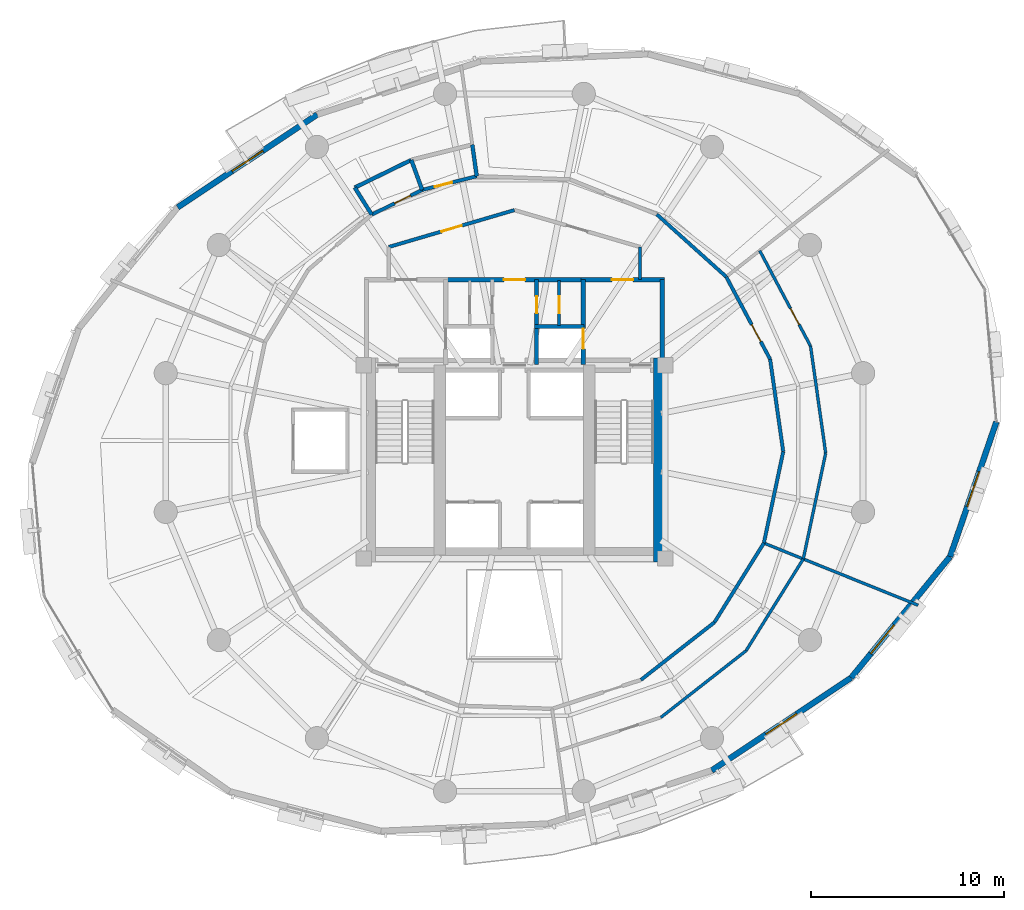
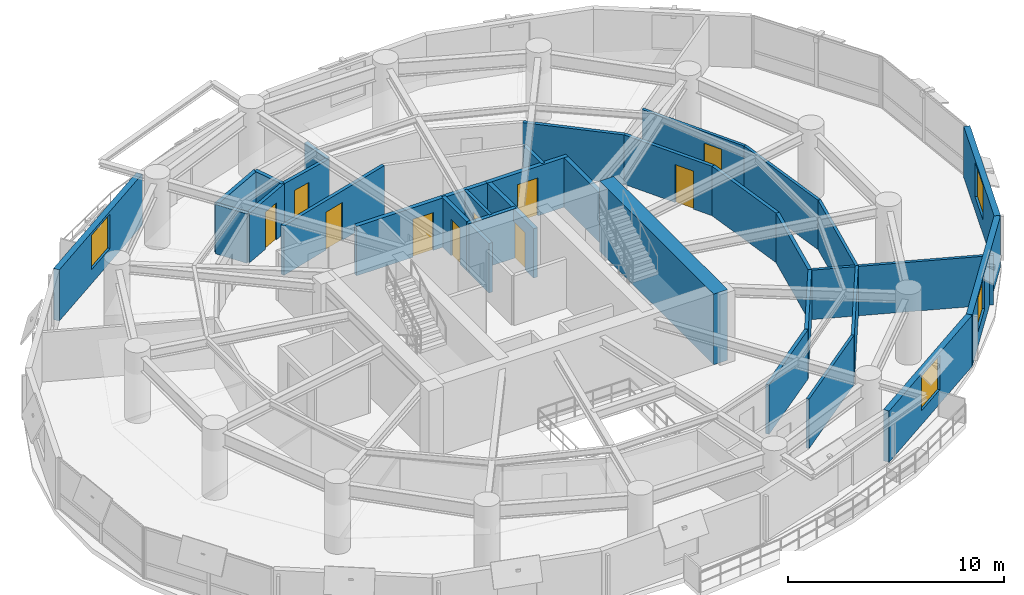
# One storey, part 11 of 15: 32 walls, 10 doors, 4 windows, 14 openings.
"""IFC4 building model written with IfcOpenShell, lengths in metres."""

from ifc_helpers import new_model, si_unit, direction, frame, frame_2d, origin, place, context, subcontext, project, spatial, rectangle, extrude, material, layer, layer_set, type_object, element, fill, save


model = new_model("IFC4")

# Units and contexts
model_context = context("Model", 3, precision=1e-05, world=origin(), true_north=direction((0.0, 1.0)))
body_context = subcontext(model_context, "Body", "Model", "MODEL_VIEW")
ifc_project = project(units=[si_unit("LENGTHUNIT", "METRE"), si_unit("AREAUNIT", "SQUARE_METRE"), si_unit("VOLUMEUNIT", "CUBIC_METRE"), si_unit("PLANEANGLEUNIT", "RADIAN"), si_unit("MASSUNIT", "GRAM", prefix="KILO"), si_unit("THERMODYNAMICTEMPERATUREUNIT", "KELVIN"), si_unit("POWERUNIT", "WATT")], contexts=[model_context])

# Site, building, storey
site_placement = place(None, origin())
site = spatial("IfcSite", under=ifc_project, at=site_placement, CompositionType="ELEMENT")
building_placement = place(site_placement, origin())
building = spatial("IfcBuilding", under=site, at=building_placement, Name="Ocrelia Relay Tower", CompositionType="ELEMENT")
storey_placement = place(building_placement, frame((0.0, 0.0, 109.800048828125)))
storey = spatial("IfcBuildingStorey", under=building, at=storey_placement, Name="L25", CompositionType="ELEMENT", Elevation=109.800048828125)

# Walls
ifc_material_1 = material(Name="Concrete C60/75", Category="concrete")
ifc_layer_1 = layer(ifc_material_1, 0.75, Name="Concrete C60/75")
ifc_layer_set_1 = layer_set([ifc_layer_1], Name="Concrete C60/75")
wall_type_1 = type_object("IfcWallType", Name="CW-CORE-750", PredefinedType="SHEAR", material=ifc_layer_set_1)
wall_1_placement = place(storey_placement, frame((41.56298828125, 19.81201171875, 0.0), z_axis=(0.0, 0.0, 1.0), x_axis=(0.0, 1.0, 0.0)))
element("IfcWall", 1, at=wall_1_placement, inside=storey, type_object=wall_type_1, Name="L25 Core Shear Wall E", PredefinedType="SHEAR", context=body_context, shape_type="SweptSolid", body=[
    extrude(rectangle(XDim=10.575927734375, YDim=0.75, at=frame_2d((5.2880859375, 0.0))), origin(), (0.0, 0.0, 1.0), 4.0),
])
ifc_material_2 = material(Name="Gypsum Fireboard Partition EI60", Category="gypsum")
ifc_layer_2 = layer(ifc_material_2, 0.179931640625, Name="Gypsum Fireboard Partition EI60")
ifc_layer_set_2 = layer_set([ifc_layer_2], Name="Gypsum Fireboard Partition EI60")
wall_type_2 = type_object("IfcWallType", Name="W-CORR-EI60-180", PredefinedType="PARTITIONING", material=ifc_layer_set_2)
wall_2_placement = place(storey_placement, frame((40.5, 36.122802734375, 0.0), z_axis=(0.0, 0.0, 1.0), x_axis=(0.0, -1.0, 0.0)))
element("IfcWall", 2, at=wall_2_placement, inside=storey, type_object=wall_type_2, Name="L25 Smoke Lobby East Return", PredefinedType="PARTITIONING", context=body_context, shape_type="SweptSolid", body=[
    extrude(rectangle(XDim=1.69287109375, YDim=0.179931640625, at=frame_2d((0.846435546875, 0.0))), origin(), (0.0, 0.0, 1.0), 2.800048828125),
])

# Wall, opening, door
wall_3_placement = place(storey_placement, frame((27.5, 36.122802734375, 0.0), z_axis=(0.0, 0.0, 1.0), x_axis=(0.959546654541, 0.281549671923, 0.0)))
wall_3 = element("IfcWall", 3, at=wall_3_placement, inside=storey, type_object=wall_type_2, Name="L25 North Smoke Lobby W Screen Wall", PredefinedType="PARTITIONING", context=body_context, shape_type="SweptSolid", body=[
    extrude(rectangle(XDim=6.77392578125, YDim=0.179931640625, at=frame_2d((3.386962890625, 0.0))), origin(), (0.0, 0.0, 1.0), 2.800048828125),
])
opening_1_placement = place(wall_3_placement, frame((2.8369140625, 0.0, 0.0)))
opening_1 = element("IfcOpeningElement", 4, at=opening_1_placement, cuts=wall_3, Name="Opening D-FD60", PredefinedType="OPENING", context=body_context, shape_type="SweptSolid", body=[
    extrude(rectangle(XDim=1.10009765625, YDim=2.14990234375, at=frame_2d((0.550048828125, 1.074951171875))), frame((0.0, 0.10009765625, 0.0), z_axis=(0.0, -1.0, 0.0), x_axis=(1.0, 0.0, 0.0)), (0.0, 0.0, 1.0), 0.199951171875),
])
ifc_material_3 = material(Name="Timber-core 60-min acoustic fire door", Category="wood")
door_type_1 = type_object("IfcDoorType", Name="DR-LOBBY-FD60-1100", OperationType="NOTDEFINED", PredefinedType="DOOR", material=ifc_material_3)
door_1_placement = place(opening_1_placement, origin())
door_1 = element("IfcDoor", 5, at=door_1_placement, inside=storey, type_object=door_type_1, Name="L25 North Smoke Lobby W Fire Door", OperationType="SINGLE_SWING_LEFT", OverallHeight=2.14990234375, OverallWidth=1.10009765625, PredefinedType="DOOR", context=body_context, shape_type="SweptSolid", body=[
    extrude(rectangle(XDim=1.10009765625, YDim=2.14990234375, at=frame_2d((0.550048828125, 1.074951171875))), frame((0.0, 0.02490234375, 0.0), z_axis=(0.0, -1.0, 0.0), x_axis=(1.0, 0.0, 0.0)), (0.0, 0.0, 1.0), 0.050048828125),
])
fill(opening_1, door_1)

wall_4_placement = place(storey_placement, frame((32.05078125, 39.78271484375, 0.0), z_axis=(0.0, 0.0, 1.0), x_axis=(-0.970098067953, -0.242713284666, 0.0)))
wall_4 = element("IfcWall", 6, at=wall_4_placement, inside=storey, type_object=wall_type_2, Name="L25 Staff Toilet Corridor Wall", PredefinedType="PARTITIONING", context=body_context, shape_type="SweptSolid", body=[
    extrude(rectangle(XDim=2.909912109375, YDim=0.179931640625, at=frame_2d((1.455078125, 0.0))), origin(), (0.0, 0.0, 1.0), 2.800048828125),
])
opening_2_placement = place(wall_4_placement, frame((1.321044921875, 0.0, 0.0)))
opening_2 = element("IfcOpeningElement", 7, at=opening_2_placement, cuts=wall_4, Name="Opening D-WC92", PredefinedType="OPENING", context=body_context, shape_type="SweptSolid", body=[
    extrude(rectangle(XDim=0.919921875, YDim=2.10009765625, at=frame_2d((0.4599609375, 1.050048828125))), frame((0.0, 0.10009765625, 0.0), z_axis=(0.0, -1.0, 0.0), x_axis=(1.0, 0.0, 0.0)), (0.0, 0.0, 1.0), 0.199951171875),
])
ifc_material_4 = material(Name="Laminate washroom door", Category="wood")
door_type_2 = type_object("IfcDoorType", Name="DR-WC-920", OperationType="NOTDEFINED", PredefinedType="DOOR", material=ifc_material_4)
door_2_placement = place(opening_2_placement, origin())
door_2 = element("IfcDoor", 8, at=door_2_placement, inside=storey, type_object=door_type_2, Name="L25 Staff Toilet Door", OperationType="SINGLE_SWING_LEFT", OverallHeight=2.10009765625, OverallWidth=0.919921875, PredefinedType="DOOR", context=body_context, shape_type="SweptSolid", body=[
    extrude(rectangle(XDim=0.919921875, YDim=2.10009765625, at=frame_2d((0.4599609375, 1.050048828125))), frame((0.0, 0.02490234375, 0.0), z_axis=(0.0, -1.0, 0.0), x_axis=(1.0, 0.0, 0.0)), (0.0, 0.0, 1.0), 0.050048828125),
])
fill(opening_2, door_2)

wall_5_placement = place(storey_placement, frame((29.227783203125, 39.076416015625, 0.0), z_axis=(0.0, 0.0, 1.0), x_axis=(-0.898401279121, -0.439175524904, 0.0)))
wall_5 = element("IfcWall", 9, at=wall_5_placement, inside=storey, type_object=wall_type_2, Name="L25 Accessible Toilet Corridor Wall", PredefinedType="PARTITIONING", context=body_context, shape_type="SweptSolid", body=[
    extrude(rectangle(XDim=2.91015625, YDim=0.179931640625, at=frame_2d((1.455078125, 0.0))), origin(), (0.0, 0.0, 1.0), 2.800048828125),
])
opening_3_placement = place(wall_5_placement, frame((0.6689453125, 0.0, 0.0)))
opening_3 = element("IfcOpeningElement", 10, at=opening_3_placement, cuts=wall_5, Name="Opening D-WC92", PredefinedType="OPENING", context=body_context, shape_type="SweptSolid", body=[
    extrude(rectangle(XDim=0.919921875, YDim=2.10009765625, at=frame_2d((0.4599609375, 1.050048828125))), frame((0.0, 0.10009765625, 0.0), z_axis=(0.0, -1.0, 0.0), x_axis=(1.0, 0.0, 0.0)), (0.0, 0.0, 1.0), 0.199951171875),
])
door_3_placement = place(opening_3_placement, origin())
door_3 = element("IfcDoor", 11, at=door_3_placement, inside=storey, type_object=door_type_2, Name="L25 Accessible Toilet Door", OperationType="SINGLE_SWING_RIGHT", OverallHeight=2.10009765625, OverallWidth=0.919921875, PredefinedType="DOOR", context=body_context, shape_type="SweptSolid", body=[
    extrude(rectangle(XDim=0.919921875, YDim=2.10009765625, at=frame_2d((0.4599609375, 1.050048828125))), frame((0.0, 0.02490234375, 0.0), z_axis=(0.0, -1.0, 0.0), x_axis=(1.0, 0.0, 0.0)), (0.0, 0.0, 1.0), 0.050048828125),
])
fill(opening_3, door_3)

# Walls
for number, where, z_axis, x_axis, name in (
    (12, (40.5458984375, 13.715087890625, 0.0), (0.0, 0.0, 1.0), (0.787485817957, 0.616332772548, 0.0), "L25 Routing Office C Corridor Partition 2"),
    (13, (44.352783203125, 16.694580078125, 0.0), (0.0, 0.0, 1.0), (0.529154338205, 0.848525595583, 0.0), "L25 Routing Office C Corridor Partition 3"),
):
    element("IfcWall", number, at=place(storey_placement, frame(where, z_axis=z_axis, x_axis=x_axis)), inside=storey, type_object=wall_type_2, Name=name, PredefinedType="PARTITIONING", context=body_context, shape_type="SweptSolid", body=[
        extrude(rectangle(XDim=4.834228515625, YDim=0.179931640625, at=frame_2d((2.4169921875, 0.0))), origin(), (0.0, 0.0, 1.0), 2.800048828125),
    ])
wall_6_placement = place(storey_placement, frame((46.910888671875, 20.796630859375, 0.0), z_axis=(0.0, 0.0, 1.0), x_axis=(0.207048756704, 0.978330625273, 0.0)))
element("IfcWall", 14, at=wall_6_placement, inside=storey, type_object=wall_type_2, Name="L25 Peering Conference Room Corridor Partition 1", PredefinedType="PARTITIONING", context=body_context, shape_type="SweptSolid", body=[
    extrude(rectangle(XDim=4.83447265625, YDim=0.179931640625, at=frame_2d((2.417236328125, 0.0))), origin(), (0.0, 0.0, 1.0), 2.800048828125),
])
wall_7_placement = place(storey_placement, frame((47.911865234375, 25.5263671875, 0.0), z_axis=(0.0, 0.0, 1.0), x_axis=(-0.140042509917, 0.990145492045, 0.0)))
element("IfcWall", 15, at=wall_7_placement, inside=storey, type_object=wall_type_2, Name="L25 Peering Conference Room Corridor Partition 2", PredefinedType="PARTITIONING", context=body_context, shape_type="SweptSolid", body=[
    extrude(rectangle(XDim=4.834228515625, YDim=0.179931640625, at=frame_2d((2.4169921875, 0.0))), origin(), (0.0, 0.0, 1.0), 2.800048828125),
])

# Wall, opening, door
wall_8_placement = place(storey_placement, frame((47.23486328125, 30.31298828125, 0.0), z_axis=(0.0, 0.0, 1.0), x_axis=(-0.470213368223, 0.882552768023, 0.0)))
wall_8 = element("IfcWall", 16, at=wall_8_placement, inside=storey, type_object=wall_type_2, Name="L25 Peering Conference Room Corridor Partition 3", PredefinedType="PARTITIONING", context=body_context, shape_type="SweptSolid", body=[
    extrude(rectangle(XDim=4.83447265625, YDim=0.179931640625, at=frame_2d((2.417236328125, 0.0))), origin(), (0.0, 0.0, 1.0), 2.800048828125),
])
opening_4_placement = place(wall_8_placement, frame((1.03369140625, 0.0, 0.0)))
opening_4 = element("IfcOpeningElement", 17, at=opening_4_placement, cuts=wall_8, Name="Opening D-RM100", PredefinedType="OPENING", context=body_context, shape_type="SweptSolid", body=[
    extrude(rectangle(XDim=1.0, YDim=2.14990234375, at=frame_2d((0.5, 1.074951171875))), frame((0.0, 0.10009765625, 0.0), z_axis=(0.0, -1.0, 0.0), x_axis=(1.0, 0.0, 0.0)), (0.0, 0.0, 1.0), 0.199951171875),
])
ifc_material_5 = material(Name="Acoustic oak veneer fire door", Category="wood")
door_type_3 = type_object("IfcDoorType", Name="DR-ROOM-FD60-1000", OperationType="NOTDEFINED", PredefinedType="DOOR", material=ifc_material_5)
door_4_placement = place(opening_4_placement, origin())
door_4 = element("IfcDoor", 18, at=door_4_placement, inside=storey, type_object=door_type_3, Name="L25 Peering Conference Room Entrance Door", OperationType="SINGLE_SWING_LEFT", OverallHeight=2.14990234375, OverallWidth=1.0, PredefinedType="DOOR", context=body_context, shape_type="SweptSolid", body=[
    extrude(rectangle(XDim=1.0, YDim=2.14990234375, at=frame_2d((0.5, 1.074951171875))), frame((0.0, 0.02490234375, 0.0), z_axis=(0.0, -1.0, 0.0), x_axis=(1.0, 0.0, 0.0)), (0.0, 0.0, 1.0), 0.050048828125),
])
fill(opening_4, door_4)

# Wall
wall_9_placement = place(storey_placement, frame((44.961669921875, 34.57958984375, 0.0), z_axis=(0.0, 0.0, 1.0), x_axis=(-0.743728409831, 0.668481901333, 0.0)))
element("IfcWall", 19, at=wall_9_placement, inside=storey, type_object=wall_type_2, Name="L25 Shift Staff Lounge Corridor Partition 1", PredefinedType="PARTITIONING", context=body_context, shape_type="SweptSolid", body=[
    extrude(rectangle(XDim=4.83447265625, YDim=0.179931640625, at=frame_2d((2.417236328125, 0.0))), origin(), (0.0, 0.0, 1.0), 2.800048828125),
])

# Wall, opening, window
ifc_material_6 = material(Name="Precast concrete C40/50 with oxide terracotta", Category="masonry")
ifc_layer_3 = layer(ifc_material_6, 0.300048828125, Name="Precast concrete C40/50 with oxide terracotta")
ifc_layer_set_3 = layer_set([ifc_layer_3], Name="Precast concrete C40/50 with oxide terracotta")
wall_type_3 = type_object("IfcWallType", Name="W-EXT-TERR-300", PredefinedType="SOLIDWALL", material=ifc_layer_set_3)
wall_10_placement = place(storey_placement, frame((23.79248046875, 42.974853515625, 0.0), z_axis=(0.0, 0.0, 1.0), x_axis=(-0.832707987604, -0.553712386876, 0.0)))
wall_10 = element("IfcWall", 20, at=wall_10_placement, inside=storey, type_object=wall_type_3, Name="L25 Oxide Terracotta Facade Wall 06", PredefinedType="SOLIDWALL", context=body_context, shape_type="SweptSolid", body=[
    extrude(rectangle(XDim=8.6728515625, YDim=0.300048828125, at=frame_2d((4.33642578125, 0.0))), origin(), (0.0, 0.0, 1.0), 2.89990234375),
])
opening_5_placement = place(wall_10_placement, frame((3.385986328125, 0.0, 0.800048828125)))
opening_5 = element("IfcOpeningElement", 21, at=opening_5_placement, cuts=wall_10, Name="Opening W-06", PredefinedType="OPENING", context=body_context, shape_type="SweptSolid", body=[
    extrude(rectangle(XDim=1.89990234375, YDim=1.949951171875, at=frame_2d((0.949951171875, 0.97509765625))), frame((0.0, 0.16015625, 0.0), z_axis=(0.0, -1.0, 0.0), x_axis=(1.0, 0.0, 0.0)), (0.0, 0.0, 1.0), 0.320068359375),
])
ifc_material_7 = material(Name="Clear double-glazed low-E glass", Category="glass")
window_type = type_object("IfcWindowType", Name="WIN-Z2-1900x2100", PartitioningType="DOUBLE_PANEL_VERTICAL", PredefinedType="WINDOW", material=ifc_material_7)
window_1_placement = place(opening_5_placement, origin())
window_1 = element("IfcWindow", 22, at=window_1_placement, inside=storey, type_object=window_type, Name="L25 Facade Module Window 06", OverallHeight=1.949951171875, OverallWidth=1.89990234375, PartitioningType="SINGLE_PANEL", PredefinedType="WINDOW", context=body_context, shape_type="SweptSolid", body=[
    extrude(rectangle(XDim=1.89990234375, YDim=1.949951171875, at=frame_2d((0.949951171875, 0.97509765625))), frame((0.0, 0.030029296875, 0.0), z_axis=(0.0, -1.0, 0.0), x_axis=(1.0, 0.0, 0.0)), (0.0, 0.0, 1.0), 0.06005859375),
])
fill(opening_5, window_1)

wall_11_placement = place(storey_placement, frame((44.20751953125, 9.025146484375, 0.0), z_axis=(0.0, 0.0, 1.0), x_axis=(0.832707987604, 0.553712386876, 0.0)))
wall_11 = element("IfcWall", 23, at=wall_11_placement, inside=storey, type_object=wall_type_3, Name="L25 Oxide Terracotta Facade Wall 15", PredefinedType="SOLIDWALL", context=body_context, shape_type="SweptSolid", body=[
    extrude(rectangle(XDim=8.6728515625, YDim=0.300048828125, at=frame_2d((4.33642578125, 0.0))), origin(), (0.0, 0.0, 1.0), 2.89990234375),
])
opening_6_placement = place(wall_11_placement, frame((3.385986328125, 0.0, 0.800048828125)))
opening_6 = element("IfcOpeningElement", 24, at=opening_6_placement, cuts=wall_11, Name="Opening W-06", PredefinedType="OPENING", context=body_context, shape_type="SweptSolid", body=[
    extrude(rectangle(XDim=1.89990234375, YDim=1.949951171875, at=frame_2d((0.949951171875, 0.97509765625))), frame((0.0, 0.16015625, 0.0), z_axis=(0.0, -1.0, 0.0), x_axis=(1.0, 0.0, 0.0)), (0.0, 0.0, 1.0), 0.320068359375),
])
window_2_placement = place(opening_6_placement, origin())
window_2 = element("IfcWindow", 25, at=window_2_placement, inside=storey, type_object=window_type, Name="L25 Facade Module Window 15", OverallHeight=1.949951171875, OverallWidth=1.89990234375, PartitioningType="SINGLE_PANEL", PredefinedType="WINDOW", context=body_context, shape_type="SweptSolid", body=[
    extrude(rectangle(XDim=1.89990234375, YDim=1.949951171875, at=frame_2d((0.949951171875, 0.97509765625))), frame((0.0, 0.030029296875, 0.0), z_axis=(0.0, -1.0, 0.0), x_axis=(1.0, 0.0, 0.0)), (0.0, 0.0, 1.0), 0.06005859375),
])
fill(opening_6, window_2)

wall_12_placement = place(storey_placement, frame((51.429443359375, 13.827392578125, 0.0), z_axis=(0.0, 0.0, 1.0), x_axis=(0.632472149316, 0.774583100991, 0.0)))
wall_12 = element("IfcWall", 26, at=wall_12_placement, inside=storey, type_object=wall_type_3, Name="L25 Oxide Terracotta Facade Wall 16", PredefinedType="SOLIDWALL", context=body_context, shape_type="SweptSolid", body=[
    extrude(rectangle(XDim=8.094970703125, YDim=0.300048828125, at=frame_2d((4.04736328125, 0.0))), origin(), (0.0, 0.0, 1.0), 2.89990234375),
])
opening_7_placement = place(wall_12_placement, frame((1.614990234375, 0.0, 0.800048828125)))
opening_7 = element("IfcOpeningElement", 27, at=opening_7_placement, cuts=wall_12, Name="Opening W-06", PredefinedType="OPENING", context=body_context, shape_type="SweptSolid", body=[
    extrude(rectangle(XDim=1.89990234375, YDim=1.949951171875, at=frame_2d((0.949951171875, 0.97509765625))), frame((0.0, 0.16015625, 0.0), z_axis=(0.0, -1.0, 0.0), x_axis=(1.0, 0.0, 0.0)), (0.0, 0.0, 1.0), 0.320068359375),
])
window_3_placement = place(opening_7_placement, origin())
window_3 = element("IfcWindow", 28, at=window_3_placement, inside=storey, type_object=window_type, Name="L25 Facade Module Window 16", OverallHeight=1.949951171875, OverallWidth=1.89990234375, PartitioningType="SINGLE_PANEL", PredefinedType="WINDOW", context=body_context, shape_type="SweptSolid", body=[
    extrude(rectangle(XDim=1.89990234375, YDim=1.949951171875, at=frame_2d((0.949951171875, 0.97509765625))), frame((0.0, 0.030029296875, 0.0), z_axis=(0.0, -1.0, 0.0), x_axis=(1.0, 0.0, 0.0)), (0.0, 0.0, 1.0), 0.06005859375),
])
fill(opening_7, window_3)

wall_13_placement = place(storey_placement, frame((56.54931640625, 20.09765625, 0.0), z_axis=(0.0, 0.0, 1.0), x_axis=(0.325042803194, 0.945699305325, 0.0)))
wall_13 = element("IfcWall", 29, at=wall_13_placement, inside=storey, type_object=wall_type_3, Name="L25 Oxide Terracotta Facade Wall 17", PredefinedType="SOLIDWALL", context=body_context, shape_type="SweptSolid", body=[
    extrude(rectangle(XDim=7.38330078125, YDim=0.300048828125, at=frame_2d((3.691650390625, 0.0))), origin(), (0.0, 0.0, 1.0), 2.89990234375),
])
opening_8_placement = place(wall_13_placement, frame((2.741943359375, 0.0, 0.800048828125)))
opening_8 = element("IfcOpeningElement", 30, at=opening_8_placement, cuts=wall_13, Name="Opening W-06", PredefinedType="OPENING", context=body_context, shape_type="SweptSolid", body=[
    extrude(rectangle(XDim=1.89990234375, YDim=1.949951171875, at=frame_2d((0.949951171875, 0.97509765625))), frame((0.0, 0.16015625, 0.0), z_axis=(0.0, -1.0, 0.0), x_axis=(1.0, 0.0, 0.0)), (0.0, 0.0, 1.0), 0.320068359375),
])
window_4_placement = place(opening_8_placement, origin())
window_4 = element("IfcWindow", 31, at=window_4_placement, inside=storey, type_object=window_type, Name="L25 Facade Module Window 17", OverallHeight=1.949951171875, OverallWidth=1.89990234375, PartitioningType="SINGLE_PANEL", PredefinedType="WINDOW", context=body_context, shape_type="SweptSolid", body=[
    extrude(rectangle(XDim=1.89990234375, YDim=1.949951171875, at=frame_2d((0.949951171875, 0.97509765625))), frame((0.0, 0.030029296875, 0.0), z_axis=(0.0, -1.0, 0.0), x_axis=(1.0, 0.0, 0.0)), (0.0, 0.0, 1.0), 0.06005859375),
])
fill(opening_8, window_4)

# Wall, opening, door
ifc_material_8 = material(Name="Concrete C50/60", Category="concrete")
ifc_layer_4 = layer(ifc_material_8, 0.219970703125, Name="Concrete C50/60")
ifc_layer_set_4 = layer_set([ifc_layer_4], Name="Concrete C50/60")
wall_type_4 = type_object("IfcWallType", Name="W-FFL-EI120-220", PredefinedType="SOLIDWALL", material=ifc_layer_set_4)
wall_14_placement = place(storey_placement, frame((37.56005859375, 30.050048828125, 0.0), z_axis=(0.0, 0.0, 1.0), x_axis=(0.0, 1.0, 0.0)))
wall_14 = element("IfcWall", 32, at=wall_14_placement, inside=storey, type_object=wall_type_4, Name="L25 E Fire Service Lift Lobby West Wall", PredefinedType="SOLIDWALL", context=body_context, shape_type="SweptSolid", body=[
    extrude(rectangle(XDim=4.3798828125, YDim=0.219970703125, at=frame_2d((2.18994140625, 0.0))), origin(), (0.0, 0.0, 1.0), 2.800048828125),
])
opening_9_placement = place(wall_14_placement, frame((0.800048828125, 0.0, 0.0)))
opening_9 = element("IfcOpeningElement", 33, at=opening_9_placement, cuts=wall_14, Name="Opening LD-FFL2", PredefinedType="OPENING", context=body_context, shape_type="SweptSolid", body=[
    extrude(rectangle(XDim=1.050048828125, YDim=2.10009765625, at=frame_2d((0.52490234375, 1.050048828125))), frame((0.0, 0.1201171875, 0.0), z_axis=(0.0, -1.0, 0.0), x_axis=(1.0, 0.0, 0.0)), (0.0, 0.0, 1.0), 0.239990234375),
])
ifc_material_9 = material(Name="Brushed stainless steel S355 lift landing door", Category="steel")
door_type_4 = type_object("IfcDoorType", Name="DR-LIFT-LAND-1050", OperationType="DOUBLE_DOOR_SLIDING", PredefinedType="USERDEFINED", material=ifc_material_9)
door_5_placement = place(opening_9_placement, origin())
door_5 = element("IfcDoor", 34, at=door_5_placement, inside=storey, type_object=door_type_4, Name="L25 Firefighting Lift FFL2 Sliding Landing Door", ObjectType="LANDING DOOR", OperationType="DOUBLE_DOOR_SLIDING", OverallHeight=2.10009765625, OverallWidth=1.050048828125, PredefinedType="USERDEFINED", context=body_context, shape_type="SweptSolid", body=[
    extrude(rectangle(XDim=1.050048828125, YDim=2.10009765625, at=frame_2d((0.52490234375, 1.050048828125))), frame((0.0, 0.02490234375, 0.0), z_axis=(0.0, -1.0, 0.0), x_axis=(1.0, 0.0, 0.0)), (0.0, 0.0, 1.0), 0.050048828125),
])
fill(opening_9, door_5)

# Wall
wall_15_placement = place(storey_placement, frame((41.64990234375, 30.050048828125, 0.0), z_axis=(0.0, 0.0, 1.0), x_axis=(0.0, 1.0, 0.0)))
element("IfcWall", 35, at=wall_15_placement, inside=storey, type_object=wall_type_4, Name="L25 E Fire Service Lift Lobby East Wall", PredefinedType="SOLIDWALL", context=body_context, shape_type="SweptSolid", body=[
    extrude(rectangle(XDim=4.3798828125, YDim=0.219970703125, at=frame_2d((2.18994140625, 0.0))), origin(), (0.0, 0.0, 1.0), 2.800048828125),
])

# Wall, opening, door
wall_16_placement = place(storey_placement, frame((37.449951171875, 34.429931640625, 0.0), z_axis=(0.0, 0.0, 1.0), x_axis=(1.0, 0.0, 0.0)))
wall_16 = element("IfcWall", 36, at=wall_16_placement, inside=storey, type_object=wall_type_4, Name="L25 E Fire Service Lift Lobby North Wall", PredefinedType="SOLIDWALL", context=body_context, shape_type="SweptSolid", body=[
    extrude(rectangle(XDim=4.31005859375, YDim=0.219970703125, at=frame_2d((2.155029296875, 0.0))), origin(), (0.0, 0.0, 1.0), 2.800048828125),
])
opening_10_placement = place(wall_16_placement, frame((1.60009765625, 0.0, 0.0)))
opening_10 = element("IfcOpeningElement", 37, at=opening_10_placement, cuts=wall_16, Name="Opening D-FD60", PredefinedType="OPENING", context=body_context, shape_type="SweptSolid", body=[
    extrude(rectangle(XDim=1.10009765625, YDim=2.14990234375, at=frame_2d((0.550048828125, 1.074951171875))), frame((0.0, 0.1201171875, 0.0), z_axis=(0.0, -1.0, 0.0), x_axis=(1.0, 0.0, 0.0)), (0.0, 0.0, 1.0), 0.239990234375),
])
door_6_placement = place(opening_10_placement, origin())
door_6 = element("IfcDoor", 38, at=door_6_placement, inside=storey, type_object=door_type_1, Name="L25 E Fire Service Lift Lobby Exit Door", OperationType="SINGLE_SWING_RIGHT", OverallHeight=2.14990234375, OverallWidth=1.10009765625, PredefinedType="DOOR", context=body_context, shape_type="SweptSolid", body=[
    extrude(rectangle(XDim=1.10009765625, YDim=2.14990234375, at=frame_2d((0.550048828125, 1.074951171875))), frame((0.0, 0.02490234375, 0.0), z_axis=(0.0, -1.0, 0.0), x_axis=(1.0, 0.0, 0.0)), (0.0, 0.0, 1.0), 0.050048828125),
])
fill(opening_10, door_6)

wall_17_placement = place(storey_placement, frame((30.43994140625, 34.429931640625, 0.0), z_axis=(0.0, 0.0, 1.0), x_axis=(1.0, 0.0, 0.0)))
wall_17 = element("IfcWall", 39, at=wall_17_placement, inside=storey, type_object=wall_type_4, Name="L25 North Core Vestibule Wall", PredefinedType="SOLIDWALL", context=body_context, shape_type="SweptSolid", body=[
    extrude(rectangle(XDim=7.1201171875, YDim=0.219970703125, at=frame_2d((3.56005859375, 0.0))), origin(), (0.0, 0.0, 1.0), 2.800048828125),
])
opening_11_placement = place(wall_17_placement, frame((3.010009765625, 0.0, 0.0)))
opening_11 = element("IfcOpeningElement", 40, at=opening_11_placement, cuts=wall_17, Name="Opening D-FD60", PredefinedType="OPENING", context=body_context, shape_type="SweptSolid", body=[
    extrude(rectangle(XDim=1.10009765625, YDim=2.14990234375, at=frame_2d((0.550048828125, 1.074951171875))), frame((0.0, 0.1201171875, 0.0), z_axis=(0.0, -1.0, 0.0), x_axis=(1.0, 0.0, 0.0)), (0.0, 0.0, 1.0), 0.239990234375),
])
door_7_placement = place(opening_11_placement, origin())
door_7 = element("IfcDoor", 41, at=door_7_placement, inside=storey, type_object=door_type_1, Name="L25 North Core Vestibule Corridor Door", OperationType="SINGLE_SWING_RIGHT", OverallHeight=2.14990234375, OverallWidth=1.10009765625, PredefinedType="DOOR", context=body_context, shape_type="SweptSolid", body=[
    extrude(rectangle(XDim=1.10009765625, YDim=2.14990234375, at=frame_2d((0.550048828125, 1.074951171875))), frame((0.0, 0.02490234375, 0.0), z_axis=(0.0, -1.0, 0.0), x_axis=(1.0, 0.0, 0.0)), (0.0, 0.0, 1.0), 0.050048828125),
])
fill(opening_11, door_7)

ifc_material_10 = material(Name="Acoustic Fireboard Partition EI60", Category="gypsum")
ifc_layer_5 = layer(ifc_material_10, 0.14990234375, Name="Acoustic Fireboard Partition EI60")
ifc_layer_set_5 = layer_set([ifc_layer_5], Name="Acoustic Fireboard Partition EI60")
wall_type_5 = type_object("IfcWallType", Name="W-PART-150", PredefinedType="PARTITIONING", material=ifc_layer_set_5)
wall_18_placement = place(storey_placement, frame((36.31005859375, 32.050048828125, 0.0), z_axis=(0.0, 0.0, 1.0), x_axis=(0.0, 1.0, 0.0)))
wall_18 = element("IfcWall", 42, at=wall_18_placement, inside=storey, type_object=wall_type_5, Name="L25 East Core Support Partition", PredefinedType="PARTITIONING", context=body_context, shape_type="SweptSolid", body=[
    extrude(rectangle(XDim=2.329833984375, YDim=0.14990234375, at=frame_2d((1.1650390625, 0.0))), origin(), (0.0, 0.0, 1.0), 2.800048828125),
])
opening_12_placement = place(wall_18_placement, frame((0.64990234375, 0.0, 0.0)))
opening_12 = element("IfcOpeningElement", 43, at=opening_12_placement, cuts=wall_18, Name="Opening D-RS86", PredefinedType="OPENING", context=body_context, shape_type="SweptSolid", body=[
    extrude(rectangle(XDim=0.860107421875, YDim=2.050048828125, at=frame_2d((0.43017578125, 1.02490234375))), frame((0.0, 0.0849609375, 0.0), z_axis=(0.0, -1.0, 0.0), x_axis=(1.0, 0.0, 0.0)), (0.0, 0.0, 1.0), 0.169921875),
])
ifc_material_11 = material(Name="Steel S355 riser access fire door", Category="steel")
door_type_5 = type_object("IfcDoorType", Name="DR-RISER-TRAP-860", OperationType="NOTDEFINED", PredefinedType="TRAPDOOR", material=ifc_material_11)
door_8_placement = place(opening_12_placement, origin())
door_8 = element("IfcDoor", 44, at=door_8_placement, inside=storey, type_object=door_type_5, Name="L25 East Core Store Connecting Door", OperationType="SINGLE_SWING_RIGHT", OverallHeight=2.050048828125, OverallWidth=0.860107421875, PredefinedType="TRAPDOOR", context=body_context, shape_type="SweptSolid", body=[
    extrude(rectangle(XDim=0.860107421875, YDim=2.050048828125, at=frame_2d((0.43017578125, 1.02490234375))), frame((0.0, 0.02490234375, 0.0), z_axis=(0.0, -1.0, 0.0), x_axis=(1.0, 0.0, 0.0)), (0.0, 0.0, 1.0), 0.050048828125),
])
fill(opening_12, door_8)

# Walls
wall_19_placement = place(storey_placement, frame((46.910888671875, 20.796630859375, 0.0), z_axis=(0.0, 0.0, 1.0), x_axis=(0.927518747525, -0.373776635156, 0.0)))
element("IfcWall", 45, at=wall_19_placement, inside=storey, type_object=wall_type_5, Name="L25 Routing Office C Radial Partition", PredefinedType="PARTITIONING", context=body_context, shape_type="SweptSolid", body=[
    extrude(rectangle(XDim=8.60498046875, YDim=0.14990234375, at=frame_2d((4.302490234375, 0.0))), origin(), (0.0, 0.0, 1.0), 2.800048828125),
])
wall_20_placement = place(storey_placement, frame((41.580322265625, 11.7734375, 0.0), z_axis=(0.0, 0.0, 1.0), x_axis=(0.787470031687, 0.616352942068, 0.0)))
element("IfcWall", 46, at=wall_20_placement, inside=storey, type_object=wall_type_5, Name="L25 Perimeter Routing Office C Mid-Ring Partition 2", PredefinedType="PARTITIONING", context=body_context, shape_type="SweptSolid", body=[
    extrude(rectangle(XDim=5.5986328125, YDim=0.14990234375, at=frame_2d((2.79931640625, 0.0))), origin(), (0.0, 0.0, 1.0), 2.800048828125),
])
for number, where, z_axis, x_axis, name in (
    (47, (45.989013671875, 15.22412109375, 0.0), (0.0, 0.0, 1.0), (0.529163723117, 0.848519742927, 0.0), "L25 Perimeter Routing Office C Mid-Ring Partition 3"),
    (48, (48.951416015625, 19.974365234375, 0.0), (0.0, 0.0, 1.0), (0.207056521625, 0.978328981914, 0.0), "L25 Perimeter Peering Conference Room Mid-Ring Partition 1"),
    (49, (50.110595703125, 25.451416015625, 0.0), (0.0, 0.0, 1.0), (-0.140029210078, 0.990147373033, 0.0), "L25 Perimeter Peering Conference Room Mid-Ring Partition 2"),
):
    element("IfcWall", number, at=place(storey_placement, frame(where, z_axis=z_axis, x_axis=x_axis)), inside=storey, type_object=wall_type_5, Name=name, PredefinedType="PARTITIONING", context=body_context, shape_type="SweptSolid", body=[
        extrude(rectangle(XDim=5.598388671875, YDim=0.14990234375, at=frame_2d((2.79931640625, 0.0))), origin(), (0.0, 0.0, 1.0), 2.800048828125),
    ])

# Wall, opening, door
wall_21_placement = place(storey_placement, frame((49.32666015625, 30.99462890625, 0.0), z_axis=(0.0, 0.0, 1.0), x_axis=(-0.470228314495, 0.882544804669, 0.0)))
wall_21 = element("IfcWall", 50, at=wall_21_placement, inside=storey, type_object=wall_type_5, Name="L25 Perimeter Peering Conference Room Mid-Ring Partition 3", PredefinedType="PARTITIONING", context=body_context, shape_type="SweptSolid", body=[
    extrude(rectangle(XDim=5.598388671875, YDim=0.14990234375, at=frame_2d((2.79931640625, 0.0))), origin(), (0.0, 0.0, 1.0), 2.800048828125),
])
opening_13_placement = place(wall_21_placement, frame((1.252197265625, 0.0, 0.0)))
opening_13 = element("IfcOpeningElement", 51, at=opening_13_placement, cuts=wall_21, Name="Opening D-RM95", PredefinedType="OPENING", context=body_context, shape_type="SweptSolid", body=[
    extrude(rectangle(XDim=0.949951171875, YDim=2.14990234375, at=frame_2d((0.47509765625, 1.074951171875))), frame((0.0, 0.0849609375, 0.0), z_axis=(0.0, -1.0, 0.0), x_axis=(1.0, 0.0, 0.0)), (0.0, 0.0, 1.0), 0.169921875),
])
door_type_6 = type_object("IfcDoorType", Name="DR-ROOM-950", OperationType="NOTDEFINED", PredefinedType="DOOR", material=ifc_material_5)
door_9_placement = place(opening_13_placement, origin())
door_9 = element("IfcDoor", 52, at=door_9_placement, inside=storey, type_object=door_type_6, Name="L25 Perimeter Peering Conference Room Connecting Door", OperationType="SINGLE_SWING_RIGHT", OverallHeight=2.14990234375, OverallWidth=0.949951171875, PredefinedType="DOOR", context=body_context, shape_type="SweptSolid", body=[
    extrude(rectangle(XDim=0.949951171875, YDim=2.14990234375, at=frame_2d((0.47509765625, 1.074951171875))), frame((0.0, 0.02490234375, 0.0), z_axis=(0.0, -1.0, 0.0), x_axis=(1.0, 0.0, 0.0)), (0.0, 0.0, 1.0), 0.050048828125),
])
fill(opening_13, door_9)

# Walls
ifc_material_12 = material(Name="Moisture-Resistant Fireboard Chase Wall EI60", Category="gypsum")
ifc_layer_6 = layer(ifc_material_12, 0.199951171875, Name="Moisture-Resistant Fireboard Chase Wall EI60")
ifc_layer_set_6 = layer_set([ifc_layer_6], Name="Moisture-Resistant Fireboard Chase Wall EI60")
wall_type_6 = type_object("IfcWallType", Name="W-PLUMB-200", PredefinedType="PLUMBINGWALL", material=ifc_layer_set_6)
for number, where, z_axis, x_axis, name in (
    (53, (32.05078125, 39.78271484375, 0.0), (0.0, 0.0, 1.0), (-0.140116243635, 0.99013506062, 0.0), "L25 Staff Toilet Plumbing Radial Wall"),
    (54, (29.227783203125, 39.076416015625, 0.0), (0.0, 0.0, 1.0), (-0.342823918864, 0.939399680996, 0.0), "L25 Staff Toilet Plumbing Radial Wall"),
    (55, (26.61328125, 37.79833984375, 0.0), (0.0, 0.0, 1.0), (-0.530676988062, 0.84757414681, 0.0), "L25 Accessible Toilet Plumbing Radial Wall"),
):
    element("IfcWall", number, at=place(storey_placement, frame(where, z_axis=z_axis, x_axis=x_axis)), inside=storey, type_object=wall_type_6, Name=name, PredefinedType="PLUMBINGWALL", context=body_context, shape_type="SweptSolid", body=[
        extrude(rectangle(XDim=1.650146484375, YDim=0.199951171875, at=frame_2d((0.8251953125, 0.0))), origin(), (0.0, 0.0, 1.0), 2.800048828125),
    ])
wall_22_placement = place(storey_placement, frame((28.662109375, 40.62646484375, 0.0), z_axis=(0.0, 0.0, 1.0), x_axis=(-0.898425787807, -0.439125385058, 0.0)))
element("IfcWall", 56, at=wall_22_placement, inside=storey, type_object=wall_type_6, Name="L25 Accessible Toilet Back Plumbing Wall", PredefinedType="PLUMBINGWALL", context=body_context, shape_type="SweptSolid", body=[
    extrude(rectangle(XDim=3.255126953125, YDim=0.199951171875, at=frame_2d((1.62744140625, 0.0))), origin(), (0.0, 0.0, 1.0), 2.800048828125),
])
ifc_layer_7 = layer(ifc_material_8, 0.199951171875, Name="Concrete C50/60")
ifc_layer_set_7 = layer_set([ifc_layer_7], Name="Concrete C50/60")
wall_type_7 = type_object("IfcWallType", Name="W-SHAFT-EI120-200", PredefinedType="SOLIDWALL", material=ifc_layer_set_7)
wall_23_placement = place(storey_placement, frame((35.050048828125, 32.0, 0.0), z_axis=(0.0, 0.0, 1.0), x_axis=(1.0, 0.0, 0.0)))
element("IfcWall", 57, at=wall_23_placement, inside=storey, type_object=wall_type_7, Name="L25 FFL2 Hoistway North Wall", PredefinedType="SOLIDWALL", context=body_context, shape_type="SweptSolid", body=[
    extrude(rectangle(XDim=2.550048828125, YDim=0.199951171875, at=frame_2d((1.27490234375, 0.0))), origin(), (0.0, 0.0, 1.0), 2.800048828125),
])

# Wall, opening, door
wall_24_placement = place(storey_placement, frame((35.14990234375, 30.050048828125, 0.0), z_axis=(0.0, 0.0, 1.0), x_axis=(0.0, 1.0, 0.0)))
wall_24 = element("IfcWall", 58, at=wall_24_placement, inside=storey, type_object=wall_type_7, Name="L25 FFL2 and Service Vestibule Wall", PredefinedType="SOLIDWALL", context=body_context, shape_type="SweptSolid", body=[
    extrude(rectangle(XDim=4.3798828125, YDim=0.199951171875, at=frame_2d((2.18994140625, 0.0))), origin(), (0.0, 0.0, 1.0), 2.800048828125),
])
opening_14_placement = place(wall_24_placement, frame((2.64990234375, 0.0, 0.0)))
opening_14 = element("IfcOpeningElement", 59, at=opening_14_placement, cuts=wall_24, Name="Opening D-RS86", PredefinedType="OPENING", context=body_context, shape_type="SweptSolid", body=[
    extrude(rectangle(XDim=0.860107421875, YDim=2.050048828125, at=frame_2d((0.43017578125, 1.02490234375))), frame((0.0, 0.10986328125, 0.0), z_axis=(0.0, -1.0, 0.0), x_axis=(1.0, 0.0, 0.0)), (0.0, 0.0, 1.0), 0.219970703125),
])
door_10_placement = place(opening_14_placement, origin())
door_10 = element("IfcDoor", 60, at=door_10_placement, inside=storey, type_object=door_type_5, Name="L25 Core Support Room E Door", OperationType="SINGLE_SWING_LEFT", OverallHeight=2.050048828125, OverallWidth=0.860107421875, PredefinedType="TRAPDOOR", context=body_context, shape_type="SweptSolid", body=[
    extrude(rectangle(XDim=0.860107421875, YDim=2.050048828125, at=frame_2d((0.43017578125, 1.02490234375))), frame((0.0, 0.02490234375, 0.0), z_axis=(0.0, -1.0, 0.0), x_axis=(1.0, 0.0, 0.0)), (0.0, 0.0, 1.0), 0.050048828125),
])
fill(opening_14, door_10)

save(model, "model.ifc")
